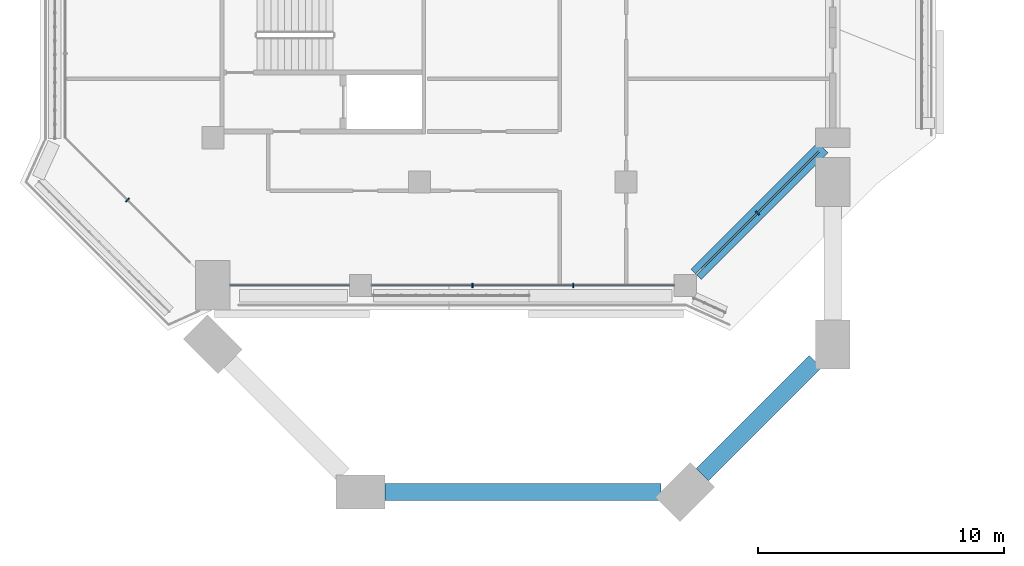
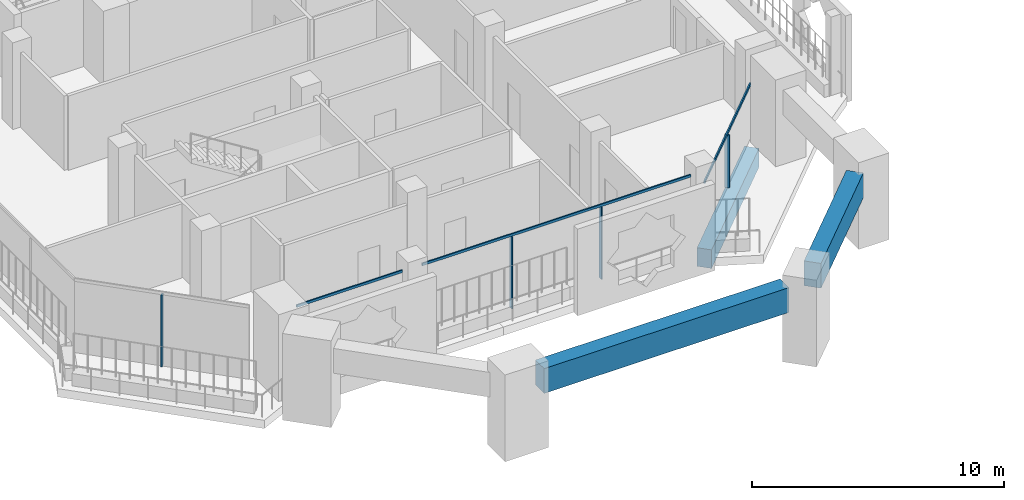
# One storey, part 2 of 23: 7 members, 3 beams, 3 elements without a shape of their own.
"""IFC4 building model written with IfcOpenShell, lengths in metres."""

from ifc_helpers import new_model, si_unit, direction, frame, origin, origin_2d, place, context, subcontext, project, spatial, rectangle, extrude, material, layer, layer_set, material_profile, profile_set, type_object, element, aggregate, save


model = new_model("IFC4")

# Units and contexts
model_context = context("Model", 3, precision=1e-05, world=origin(), true_north=direction((0.0, 1.0)))
body_context = subcontext(model_context, "Body", "Model", "MODEL_VIEW")
ifc_project = project(units=[si_unit("LENGTHUNIT", "METRE"), si_unit("AREAUNIT", "SQUARE_METRE"), si_unit("VOLUMEUNIT", "CUBIC_METRE"), si_unit("PLANEANGLEUNIT", "RADIAN"), si_unit("MASSUNIT", "GRAM", prefix="KILO")], contexts=[model_context])

# Site, building, storey
site_placement = place(None, origin())
site = spatial("IfcSite", under=ifc_project, at=site_placement, CompositionType="ELEMENT")
building_placement = place(site_placement, origin())
building = spatial("IfcBuilding", under=site, at=building_placement, Name="Kawkab Arch Medical Tower", CompositionType="ELEMENT")
storey_placement = place(building_placement, frame((0.0, 0.0, 222.199951171875)))
storey = spatial("IfcBuildingStorey", under=building, at=storey_placement, Name="L51", CompositionType="ELEMENT", Elevation=222.199951171875)

# Curtain wall, members
ifc_material_1 = material(Name="Bronze anodised aluminium curtain wall frame", Category="aluminium")
ifc_layer_1 = layer(ifc_material_1, 0.159912109375)
ifc_layer_set_1 = layer_set([ifc_layer_1], Name="Bronze anodised aluminium curtain wall frame")
curtain_wall_type_1 = type_object("IfcCurtainWallType", Name="CW1 ward curtain wall", PredefinedType="NOTDEFINED", material=ifc_layer_set_1)
placement = place(storey_placement, origin())
curtain_wall_1 = element("IfcCurtainWall", 1, at=placement, inside=storey, type_object=curtain_wall_type_1, Name="CW1 Ward curtain wall R13", PredefinedType="NOTDEFINED")
ifc_material_2 = material(Name="Bronze anodised aluminium curtain wall frame", Category="aluminium")
ifc_material_profile_1 = material_profile(ifc_material_2, rectangle(XDim=0.179931640625, YDim=0.06005859375, at=origin_2d()), Name="AL 60x180")
ifc_profile_set_1 = profile_set([ifc_material_profile_1], Name="Bronze anodised aluminium curtain wall frame")
member_type_1 = type_object("IfcMemberType", Name="CW1 mullion 60 x 180", PredefinedType="MULLION", material=ifc_profile_set_1)
member_1_placement = place(storey_placement, frame((10.550048828125, -46.199951171875, 0.0), z_axis=(0.0, 0.0, 1.0), x_axis=(0.0, 1.0, 0.0)))
member_1 = element("IfcMember", 2, at=member_1_placement, type_object=member_type_1, Name="CW1 mullion 2.1", PredefinedType="MULLION", context=body_context, shape_type="SweptSolid", body=[
    extrude(rectangle(XDim=0.179931640625, YDim=0.06005859375, at=origin_2d()), origin(), (0.0, 0.0, 1.0), 3.47998046875),
])
member_2_placement = place(storey_placement, frame((14.64990234375, -46.199951171875, 0.0), z_axis=(0.0, 0.0, 1.0), x_axis=(0.0, 1.0, 0.0)))
member_2 = element("IfcMember", 3, at=member_2_placement, type_object=member_type_1, Name="CW1 mullion 2.2", PredefinedType="MULLION", context=body_context, shape_type="SweptSolid", body=[
    extrude(rectangle(XDim=0.179931640625, YDim=0.06005859375, at=origin_2d()), origin(), (0.0, 0.0, 1.0), 3.47998046875),
])
ifc_material_3 = material(Name="Bronze anodised aluminium curtain wall frame", Category="aluminium")
ifc_material_profile_2 = material_profile(ifc_material_3, rectangle(XDim=0.06005859375, YDim=0.1201171875, at=origin_2d()), Name="AL 60x120")
ifc_profile_set_2 = profile_set([ifc_material_profile_2], Name="Bronze anodised aluminium curtain wall frame")
member_type_2 = type_object("IfcMemberType", Name="CW1 transom 120 x 60", PredefinedType="USERDEFINED", material=ifc_profile_set_2)
member_3_placement = place(storey_placement, frame((0.699951171875, -46.199951171875, 3.5400390625), z_axis=(1.0, 0.0, 0.0), x_axis=(0.0, 1.0, 0.0)))
member_3 = element("IfcMember", 4, at=member_3_placement, type_object=member_type_2, Name="CW1 transom 1", ObjectType="TRANSOM", PredefinedType="USERDEFINED", context=body_context, shape_type="SweptSolid", body=[
    extrude(rectangle(XDim=0.06005859375, YDim=0.1201171875, at=origin_2d()), origin(), (0.0, 0.0, 1.0), 4.85009765625),
])
member_4_placement = place(storey_placement, frame((6.449951171875, -46.199951171875, 3.5400390625), z_axis=(1.0, 0.0, 0.0), x_axis=(0.0, 1.0, 0.0)))
member_4 = element("IfcMember", 5, at=member_4_placement, type_object=member_type_2, Name="CW1 transom 2", ObjectType="TRANSOM", PredefinedType="USERDEFINED", context=body_context, shape_type="SweptSolid", body=[
    extrude(rectangle(XDim=0.06005859375, YDim=0.1201171875, at=origin_2d()), origin(), (0.0, 0.0, 1.0), 12.300048828125),
])
aggregate(curtain_wall_1, [member_3, member_4, member_1, member_2])

# Curtain wall, member
ifc_material_4 = material(Name="Bronze anodised aluminium curtain wall frame", Category="aluminium")
ifc_layer_2 = layer(ifc_material_4, 0.159912109375)
ifc_layer_set_2 = layer_set([ifc_layer_2], Name="Bronze anodised aluminium curtain wall frame")
curtain_wall_type_2 = type_object("IfcCurtainWallType", Name="CW2 chamfer curtain wall", PredefinedType="NOTDEFINED", material=ifc_layer_set_2)
curtain_wall_2 = element("IfcCurtainWall", 6, at=placement, inside=storey, type_object=curtain_wall_type_2, Name="CW2 Chamfer curtain wall R12", PredefinedType="NOTDEFINED")
ifc_material_5 = material(Name="Bronze anodised aluminium curtain wall frame", Category="aluminium")
ifc_material_profile_3 = material_profile(ifc_material_5, rectangle(XDim=0.199951171875, YDim=0.06005859375, at=origin_2d()), Name="AL 60x200")
ifc_profile_set_3 = profile_set([ifc_material_profile_3], Name="Bronze anodised aluminium curtain wall frame")
member_type_3 = type_object("IfcMemberType", Name="CW2 mullion 60 x 200", PredefinedType="MULLION", material=ifc_profile_set_3)
member_5_placement = place(storey_placement, frame((-3.465087890625, -42.73486328125, 0.0), z_axis=(0.0, 0.0, 1.0), x_axis=(0.707106781187, 0.707106781187, 0.0)))
member_5 = element("IfcMember", 7, at=member_5_placement, type_object=member_type_3, Name="CW2 mullion 1.1", PredefinedType="MULLION", context=body_context, shape_type="SweptSolid", body=[
    extrude(rectangle(XDim=0.199951171875, YDim=0.06005859375, at=origin_2d()), origin(), (0.0, 0.0, 1.0), 3.4599609375),
])
aggregate(curtain_wall_2, [member_5])

# Curtain wall, members
curtain_wall_3 = element("IfcCurtainWall", 8, at=placement, inside=storey, type_object=curtain_wall_type_2, Name="CW2 Chamfer curtain wall R14", PredefinedType="NOTDEFINED")
member_6_placement = place(storey_placement, frame((22.140869140625, -43.259033203125, 0.0), z_axis=(0.0, 0.0, 1.0), x_axis=(-0.707106781187, 0.707106781187, 0.0)))
member_6 = element("IfcMember", 9, at=member_6_placement, type_object=member_type_3, Name="CW2 mullion 1.1", PredefinedType="MULLION", context=body_context, shape_type="SweptSolid", body=[
    extrude(rectangle(XDim=0.199951171875, YDim=0.06005859375, at=origin_2d()), origin(), (0.0, 0.0, 1.0), 2.56005859375),
])
ifc_material_6 = material(Name="Bronze anodised aluminium curtain wall frame", Category="aluminium")
ifc_material_profile_4 = material_profile(ifc_material_6, rectangle(XDim=0.06005859375, YDim=0.139892578125, at=origin_2d()), Name="AL 60x140")
ifc_profile_set_4 = profile_set([ifc_material_profile_4], Name="Bronze anodised aluminium curtain wall frame")
member_type_4 = type_object("IfcMemberType", Name="CW2 transom 140 x 60", PredefinedType="USERDEFINED", material=ifc_profile_set_4)
member_7_placement = place(storey_placement, frame((19.64990234375, -45.75, 2.630126953125), z_axis=(0.707124107351, 0.707089454597, 0.0), x_axis=(-0.707089454597, 0.707124107351, 0.0)))
member_7 = element("IfcMember", 10, at=member_7_placement, type_object=member_type_4, Name="CW2 transom 1", ObjectType="TRANSOM", PredefinedType="USERDEFINED", context=body_context, shape_type="SweptSolid", body=[
    extrude(rectangle(XDim=0.06005859375, YDim=0.139892578125, at=origin_2d()), origin(), (0.0, 0.0, 1.0), 7.04541015625),
])
aggregate(curtain_wall_3, [member_7, member_6])

# Beams
ifc_material_7 = material(Name="Concrete C45/55", Category="concrete")
ifc_material_profile_5 = material_profile(ifc_material_7, rectangle(XDim=0.60009765625, YDim=0.89990234375, at=origin_2d()), Name="RC 600x900")
ifc_profile_set_5 = profile_set([ifc_material_profile_5], Name="Concrete C45/55")
beam_type_1 = type_object("IfcBeamType", Name="RC 600x900 beam C45/55", PredefinedType="BEAM", material=ifc_profile_set_5)
beam_1_placement = place(storey_placement, frame((24.800048828125, -40.60009765625, -1.050048828125), z_axis=(-0.707123541442, -0.707090020534, 0.0), x_axis=(0.707090020534, -0.707123541442, 0.0)))
element("IfcBeam", 11, at=beam_1_placement, inside=storey, type_object=beam_type_1, Name="Overhang edge beam L51-06", PredefinedType="BEAM", context=body_context, shape_type="SweptSolid", body=[
    extrude(rectangle(XDim=0.60009765625, YDim=0.89990234375, at=origin_2d()), origin(), (0.0, 0.0, 1.0), 7.283203125),
])
ifc_material_8 = material(Name="Concrete C45/55", Category="concrete")
ifc_material_profile_6 = material_profile(ifc_material_8, rectangle(XDim=0.699951171875, YDim=1.199951171875, at=origin_2d()), Name="RC 700x1200")
ifc_profile_set_6 = profile_set([ifc_material_profile_6], Name="Concrete C45/55")
beam_type_2 = type_object("IfcBeamType", Name="RC 700x1200 beam C45/55", PredefinedType="BEAM", material=ifc_profile_set_6)
beam_2_placement = place(storey_placement, frame((24.5, -49.300048828125, 3.0), z_axis=(-0.707125574473, -0.707087987401, 0.0), x_axis=(0.707087987401, -0.707125574473, 0.0)))
element("IfcBeam", 12, at=beam_2_placement, inside=storey, type_object=beam_type_2, Name="Terrace frame beam TF-L50-1-L52-03", PredefinedType="BEAM", context=body_context, shape_type="SweptSolid", body=[
    extrude(rectangle(XDim=0.699951171875, YDim=1.199951171875, at=origin_2d()), origin(), (0.0, 0.0, 1.0), 6.495361328125),
])
beam_3_placement = place(storey_placement, frame((18.210205078125, -54.60009765625, 3.0), z_axis=(-1.0, 0.0, 0.0), x_axis=(0.0, -1.0, 0.0)))
element("IfcBeam", 13, at=beam_3_placement, inside=storey, type_object=beam_type_2, Name="Terrace frame beam TF-L50-1-L52-04", PredefinedType="BEAM", context=body_context, shape_type="SweptSolid", body=[
    extrude(rectangle(XDim=0.699951171875, YDim=1.199951171875, at=origin_2d()), origin(), (0.0, 0.0, 1.0), 11.210205078125),
])

save(model, "model.ifc")
